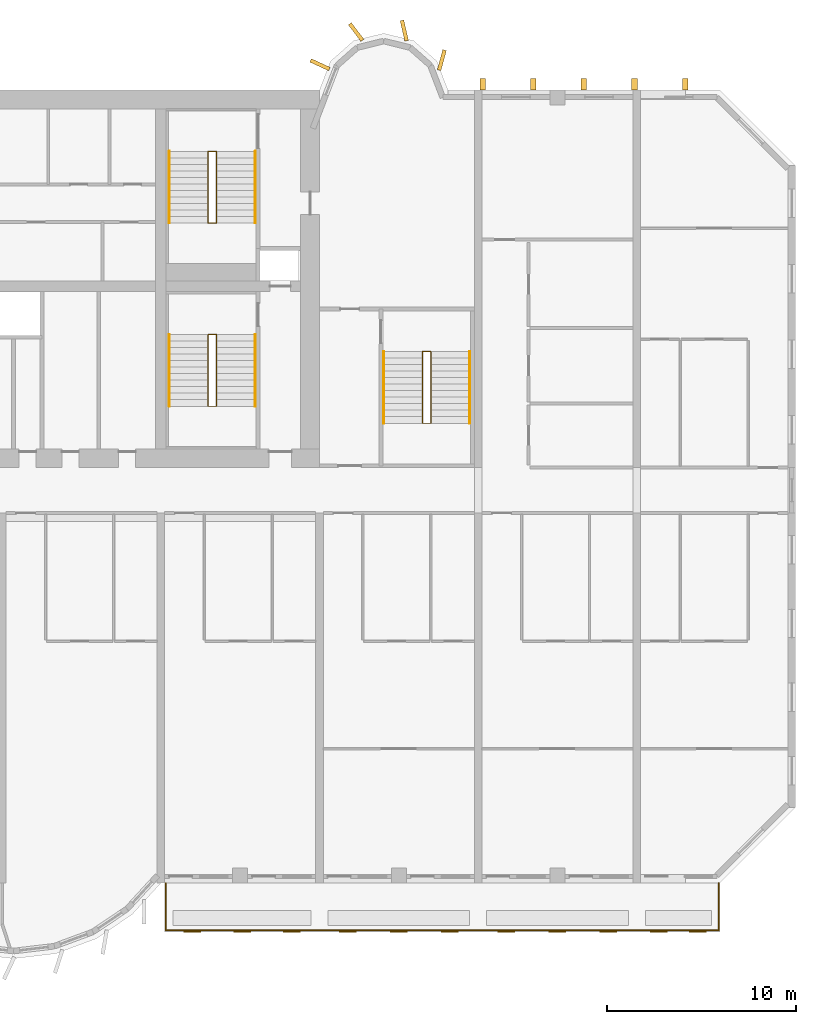
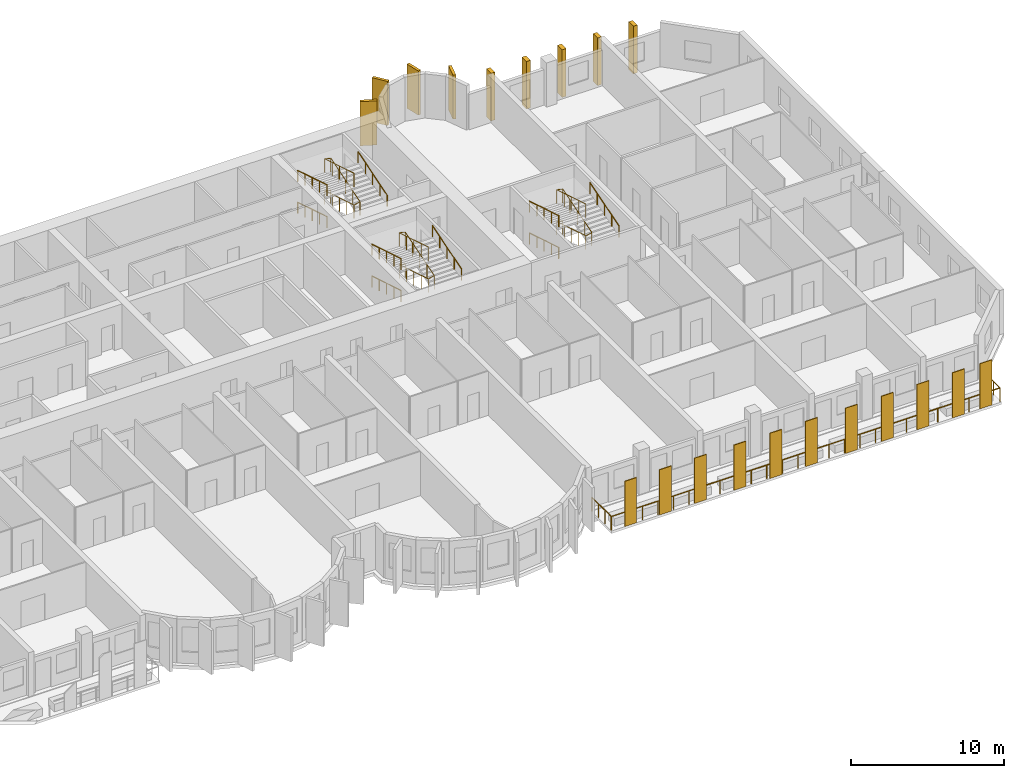
# One storey, part 14 of 15: 20 coverings, 13 railings.
"""IFC4 building model written with IfcOpenShell, lengths in metres."""

from ifc_helpers import new_model, si_unit, direction, frame, origin, origin_2d, place, context, subcontext, project, spatial, rectangle, circle, extrude, source, transform, mapped, material, layer, layer_set, material_profile, profile_set, type_object, element, save


model = new_model("IFC4")

# Units and contexts
model_context = context("Model", 3, precision=1e-05, world=origin(), true_north=direction((0.0, 1.0)))
body_context = subcontext(model_context, "Body", "Model", "MODEL_VIEW")
ifc_project = project(units=[si_unit("LENGTHUNIT", "METRE"), si_unit("AREAUNIT", "SQUARE_METRE"), si_unit("VOLUMEUNIT", "CUBIC_METRE"), si_unit("PLANEANGLEUNIT", "RADIAN"), si_unit("MASSUNIT", "GRAM", prefix="KILO")], contexts=[model_context])

# Site, building, storey
site_placement = place(None, origin())
site = spatial("IfcSite", under=ifc_project, at=site_placement, CompositionType="ELEMENT")
building_placement = place(site_placement, origin())
building = spatial("IfcBuilding", under=site, at=building_placement, Name="Vanashikhar Sky Hotel", CompositionType="ELEMENT")
storey_placement = place(building_placement, frame((0.0, 0.0, 62.0)))
storey = spatial("IfcBuildingStorey", under=building, at=storey_placement, Name="L14", CompositionType="ELEMENT", Elevation=62.0)

# Railing
ifc_material_1 = material(Name="Stainless steel 316", Category="steel")
railing_type_1 = type_object("IfcRailingType", Name="Balcony guard 1100", PredefinedType="GUARDRAIL", material=ifc_material_1)
shared_shape_1 = source(origin(), body_context, "Body", "SweptSolid", [
    extrude(circle(Radius=0.02392578125, at=origin_2d()), frame((0.0, 0.0, 1.076171875), z_axis=(0.0, -1.0, 0.0), x_axis=(1.0, 0.0, 0.0)), (0.0, 0.0, 1.0), 2.5),
    extrude(circle(Radius=0.02392578125, at=origin_2d()), frame((0.0, -2.5, 1.076171875), z_axis=(1.0, 0.0, 0.0), x_axis=(0.0, 1.0, 0.0)), (0.0, 0.0, 1.0), 29.280029296875),
    extrude(circle(Radius=0.02392578125, at=origin_2d()), frame((29.280029296875, -2.5, 1.076171875), z_axis=(0.0, 1.0, 0.0), x_axis=(-1.0, 0.0, 0.0)), (0.0, 0.0, 1.0), 2.5),
    extrude(circle(Radius=0.02099609375, at=origin_2d()), origin(), (0.0, 0.0, 1.0), 1.052001953125),
    extrude(circle(Radius=0.02099609375, at=origin_2d()), frame((0.0, -0.833251953125, 0.0)), (0.0, 0.0, 1.0), 1.052001953125),
    extrude(circle(Radius=0.02099609375, at=origin_2d()), frame((0.0, -1.666748046875, 0.0)), (0.0, 0.0, 1.0), 1.052001953125),
    extrude(circle(Radius=0.02099609375, at=origin_2d()), frame((0.0, -2.5, 0.0)), (0.0, 0.0, 1.0), 1.052001953125),
    extrude(circle(Radius=0.02099609375, at=origin_2d()), frame((1.171142578125, -2.5, 0.0)), (0.0, 0.0, 1.0), 1.052001953125),
    extrude(circle(Radius=0.02099609375, at=origin_2d()), frame((2.34228515625, -2.5, 0.0)), (0.0, 0.0, 1.0), 1.052001953125),
    extrude(circle(Radius=0.02099609375, at=origin_2d()), frame((3.513671875, -2.5, 0.0)), (0.0, 0.0, 1.0), 1.052001953125),
    extrude(circle(Radius=0.02099609375, at=origin_2d()), frame((4.684814453125, -2.5, 0.0)), (0.0, 0.0, 1.0), 1.052001953125),
    extrude(circle(Radius=0.02099609375, at=origin_2d()), frame((5.85595703125, -2.5, 0.0)), (0.0, 0.0, 1.0), 1.052001953125),
    extrude(circle(Radius=0.02099609375, at=origin_2d()), frame((7.027099609375, -2.5, 0.0)), (0.0, 0.0, 1.0), 1.052001953125),
    extrude(circle(Radius=0.02099609375, at=origin_2d()), frame((8.198486328125, -2.5, 0.0)), (0.0, 0.0, 1.0), 1.052001953125),
    extrude(circle(Radius=0.02099609375, at=origin_2d()), frame((9.36962890625, -2.5, 0.0)), (0.0, 0.0, 1.0), 1.052001953125),
    extrude(circle(Radius=0.02099609375, at=origin_2d()), frame((10.540771484375, -2.5, 0.0)), (0.0, 0.0, 1.0), 1.052001953125),
    extrude(circle(Radius=0.02099609375, at=origin_2d()), frame((11.7119140625, -2.5, 0.0)), (0.0, 0.0, 1.0), 1.052001953125),
    extrude(circle(Radius=0.02099609375, at=origin_2d()), frame((12.88330078125, -2.5, 0.0)), (0.0, 0.0, 1.0), 1.052001953125),
    extrude(circle(Radius=0.02099609375, at=origin_2d()), frame((14.054443359375, -2.5, 0.0)), (0.0, 0.0, 1.0), 1.052001953125),
    extrude(circle(Radius=0.02099609375, at=origin_2d()), frame((15.2255859375, -2.5, 0.0)), (0.0, 0.0, 1.0), 1.052001953125),
    extrude(circle(Radius=0.02099609375, at=origin_2d()), frame((16.396728515625, -2.5, 0.0)), (0.0, 0.0, 1.0), 1.052001953125),
    extrude(circle(Radius=0.02099609375, at=origin_2d()), frame((17.568115234375, -2.5, 0.0)), (0.0, 0.0, 1.0), 1.052001953125),
    extrude(circle(Radius=0.02099609375, at=origin_2d()), frame((18.7392578125, -2.5, 0.0)), (0.0, 0.0, 1.0), 1.052001953125),
    extrude(circle(Radius=0.02099609375, at=origin_2d()), frame((19.910400390625, -2.5, 0.0)), (0.0, 0.0, 1.0), 1.052001953125),
    extrude(circle(Radius=0.02099609375, at=origin_2d()), frame((21.08154296875, -2.5, 0.0)), (0.0, 0.0, 1.0), 1.052001953125),
    extrude(circle(Radius=0.02099609375, at=origin_2d()), frame((22.2529296875, -2.5, 0.0)), (0.0, 0.0, 1.0), 1.052001953125),
    extrude(circle(Radius=0.02099609375, at=origin_2d()), frame((23.424072265625, -2.5, 0.0)), (0.0, 0.0, 1.0), 1.052001953125),
    extrude(circle(Radius=0.02099609375, at=origin_2d()), frame((24.59521484375, -2.5, 0.0)), (0.0, 0.0, 1.0), 1.052001953125),
    extrude(circle(Radius=0.02099609375, at=origin_2d()), frame((25.766357421875, -2.5, 0.0)), (0.0, 0.0, 1.0), 1.052001953125),
    extrude(circle(Radius=0.02099609375, at=origin_2d()), frame((26.937744140625, -2.5, 0.0)), (0.0, 0.0, 1.0), 1.052001953125),
    extrude(circle(Radius=0.02099609375, at=origin_2d()), frame((28.10888671875, -2.5, 0.0)), (0.0, 0.0, 1.0), 1.052001953125),
    extrude(circle(Radius=0.02099609375, at=origin_2d()), frame((29.280029296875, -2.5, 0.0)), (0.0, 0.0, 1.0), 1.052001953125),
    extrude(circle(Radius=0.02099609375, at=origin_2d()), frame((29.280029296875, -1.666748046875, 0.0)), (0.0, 0.0, 1.0), 1.052001953125),
    extrude(circle(Radius=0.02099609375, at=origin_2d()), frame((29.280029296875, -0.833251953125, 0.0)), (0.0, 0.0, 1.0), 1.052001953125),
    extrude(circle(Radius=0.02099609375, at=origin_2d()), frame((29.280029296875, 0.0, 0.0)), (0.0, 0.0, 1.0), 1.052001953125),
])
railing_1_placement = place(storey_placement, frame((67.4599609375, 0.0, -0.050048828125)))
element("IfcRailing", 1, at=railing_1_placement, inside=storey, type_object=railing_type_1, Name="Balcony guard", PredefinedType="GUARDRAIL", context=body_context, shape_type="MappedRepresentation", body=[
    mapped(shared_shape_1, transform((0.0, 0.0, 0.0), scale=1.0)),
])

# Coverings
ifc_material_2 = material(Name="Terracotta", Category="masonry")
ifc_layer = layer(ifc_material_2, 0.06005859375)
ifc_layer_set = layer_set([ifc_layer], Name="Terracotta baguette screen")
covering_type_1 = type_object("IfcCoveringType", Name="Terracotta baguette screen", PredefinedType="CLADDING", material=ifc_layer_set)
shared_shape_2 = source(origin(), body_context, "Body", "SweptSolid", [
    extrude(rectangle(XDim=0.89990234375, YDim=0.06005859375, at=origin_2d()), origin(), (0.0, 0.0, 1.0), 3.60009765625),
])
for number, where, z_axis, x_axis, name in (
    (2, (68.86669921875, -2.570068359375, -0.050048828125), (0.0, 0.0, 1.0), (1.0, 0.0, 0.0), "Terracotta screen"),
    (3, (71.5, -2.570068359375, -0.050048828125), (0.0, 0.0, 1.0), (1.0, 0.0, 0.0), "Terracotta screen"),
    (4, (74.13330078125, -2.570068359375, -0.050048828125), (0.0, 0.0, 1.0), (1.0, 0.0, 0.0), "Terracotta screen"),
    (5, (77.10009765625, -2.570068359375, -0.050048828125), (0.0, 0.0, 1.0), (1.0, 0.0, 0.0), "Terracotta screen"),
    (6, (79.800048828125, -2.570068359375, -0.050048828125), (0.0, 0.0, 1.0), (1.0, 0.0, 0.0), "Terracotta screen"),
    (7, (82.5, -2.570068359375, -0.050048828125), (0.0, 0.0, 1.0), (1.0, 0.0, 0.0), "Terracotta screen"),
    (8, (85.5, -2.570068359375, -0.050048828125), (0.0, 0.0, 1.0), (1.0, 0.0, 0.0), "Terracotta screen"),
    (9, (88.199951171875, -2.570068359375, -0.050048828125), (0.0, 0.0, 1.0), (1.0, 0.0, 0.0), "Terracotta screen"),
    (10, (90.89990234375, -2.570068359375, -0.050048828125), (0.0, 0.0, 1.0), (1.0, 0.0, 0.0), "Terracotta screen"),
    (11, (93.574951171875, -2.570068359375, -0.050048828125), (0.0, 0.0, 1.0), (1.0, 0.0, 0.0), "Terracotta screen"),
    (12, (95.625, -2.570068359375, -0.050048828125), (0.0, 0.0, 1.0), (1.0, 0.0, 0.0), "Terracotta screen"),
):
    element("IfcCovering", number, at=place(storey_placement, frame(where, z_axis=z_axis, x_axis=x_axis)), inside=storey, type_object=covering_type_1, Name=name, PredefinedType="CLADDING", context=body_context, shape_type="MappedRepresentation", body=[
        mapped(shared_shape_2, transform((0.0, 0.0, 0.0), scale=1.0)),
    ])
ifc_material_3 = material(Name="Concrete M60 dark", Category="concrete")
ifc_material_profile_1 = material_profile(ifc_material_3, rectangle(XDim=1.10009765625, YDim=0.199951171875, at=origin_2d()))
ifc_profile_set_1 = profile_set([ifc_material_profile_1], Name="Rear lobe fin 1100 x 200")
covering_type_2 = type_object("IfcCoveringType", Name="Rear lobe fin 1100 x 200", PredefinedType="CLADDING", material=ifc_profile_set_1)
shared_shape_3 = source(origin(), body_context, "Body", "SweptSolid", [
    extrude(rectangle(XDim=1.10009765625, YDim=0.199951171875, at=origin_2d()), origin(), (0.0, 0.0, 1.0), 3.52001953125),
])
for number, where, z_axis, x_axis, name in (
    (13, (75.63037109375, 43.33447265625, 0.0), (0.0, 0.0, 1.0), (-0.908004291068, 0.418960866193, 0.0), "Fin R2-1"),
    (14, (77.5380859375, 45.06640625, 0.0), (0.0, 0.0, 1.0), (-0.602065892195, 0.798446404874, 0.0), "Fin R2-2"),
    (15, (80.08984375, 45.1455078125, 0.0), (0.0, 0.0, 1.0), (-0.224644935864, 0.974440687159, 0.0), "Fin R2-3"),
    (16, (82.0791015625, 43.580078125, 0.0), (0.0, 0.0, 1.0), (0.262711264409, 0.964874495234, 0.0), "Fin R2-4"),
):
    element("IfcCovering", number, at=place(storey_placement, frame(where, z_axis=z_axis, x_axis=x_axis)), inside=storey, type_object=covering_type_2, Name=name, PredefinedType="CLADDING", context=body_context, shape_type="MappedRepresentation", body=[
        mapped(shared_shape_3, transform((0.0, 0.0, 0.0), scale=1.0)),
    ])
ifc_material_profile_2 = material_profile(ifc_material_3, rectangle(XDim=0.60009765625, YDim=0.300048828125, at=origin_2d()))
ifc_profile_set_2 = profile_set([ifc_material_profile_2], Name="Rear rib 600 x 300")
covering_type_3 = type_object("IfcCoveringType", Name="Rear rib 600 x 300", PredefinedType="CLADDING", material=ifc_profile_set_2)
shared_shape_4 = source(origin(), body_context, "Body", "SweptSolid", [
    extrude(rectangle(XDim=0.60009765625, YDim=0.300048828125, at=origin_2d()), origin(), (0.0, 0.0, 1.0), 3.800048828125),
])
for number, where, z_axis, x_axis, name in (
    (17, (84.239990234375, 42.300048828125, -0.280029296875), (0.0, 0.0, 1.0), (0.0, 1.0, 0.0), "Rear rib"),
    (18, (86.919921875, 42.300048828125, -0.280029296875), (0.0, 0.0, 1.0), (0.0, 1.0, 0.0), "Rear rib"),
    (19, (89.60009765625, 42.300048828125, -0.280029296875), (0.0, 0.0, 1.0), (0.0, 1.0, 0.0), "Rear rib"),
    (20, (92.280029296875, 42.300048828125, -0.280029296875), (0.0, 0.0, 1.0), (0.0, 1.0, 0.0), "Rear rib"),
    (21, (94.9599609375, 42.300048828125, -0.280029296875), (0.0, 0.0, 1.0), (0.0, 1.0, 0.0), "Rear rib"),
):
    element("IfcCovering", number, at=place(storey_placement, frame(where, z_axis=z_axis, x_axis=x_axis)), inside=storey, type_object=covering_type_3, Name=name, PredefinedType="CLADDING", context=body_context, shape_type="MappedRepresentation", body=[
        mapped(shared_shape_4, transform((0.0, 0.0, 0.0), scale=1.0)),
    ])

# Railings
ifc_material_4 = material(Name="Steel S355", Category="steel")
railing_type_2 = type_object("IfcRailingType", Name="Stair handrail 900", PredefinedType="HANDRAIL", material=ifc_material_4)
shared_shape_5 = source(origin(), body_context, "Body", "SweptSolid", [
    extrude(circle(Radius=0.02392578125, at=origin_2d()), frame((0.0, 0.0, 0.8759765625), z_axis=(0.0, 0.95635109408, 0.292220096591), x_axis=(-1.0, 0.0, 0.0)), (0.0, 0.0, 1.0), 3.973388671875),
    extrude(circle(Radius=0.02099609375, at=origin_2d()), origin(), (0.0, 0.0, 1.0), 0.851806640625),
    extrude(circle(Radius=0.02099609375, at=origin_2d()), frame((0.0, 0.949951171875, 0.290283203125)), (0.0, 0.0, 1.0), 0.851806640625),
    extrude(circle(Radius=0.02099609375, at=origin_2d()), frame((0.0, 1.89990234375, 0.58056640625)), (0.0, 0.0, 1.0), 0.851806640625),
    extrude(circle(Radius=0.02099609375, at=origin_2d()), frame((0.0, 2.85009765625, 0.870849609375)), (0.0, 0.0, 1.0), 0.851806640625),
    extrude(circle(Radius=0.02099609375, at=origin_2d()), frame((0.0, 3.800048828125, 1.1611328125)), (0.0, 0.0, 1.0), 0.851806640625),
])
for number, where, name in (
    (22, (72.199951171875, 25.25, 1.372314453125), "Exit stair 2 handrail"),
    (23, (72.199951171875, 34.949951171875, 1.372314453125), "Exit stair 6 handrail"),
):
    element("IfcRailing", number, at=place(storey_placement, frame(where)), inside=storey, type_object=railing_type_2, Name=name, PredefinedType="HANDRAIL", context=body_context, shape_type="MappedRepresentation", body=[
        mapped(shared_shape_5, transform((0.0, 0.0, 0.0), scale=1.0)),
    ])
shared_shape_6 = source(origin(), body_context, "Body", "SweptSolid", [
    extrude(circle(Radius=0.02392578125, at=origin_2d()), frame((0.0, 0.0, 0.8759765625), z_axis=(0.0, -0.95635109408, 0.292220096591), x_axis=(1.0, 0.0, 0.0)), (0.0, 0.0, 1.0), 3.973388671875),
    extrude(circle(Radius=0.02099609375, at=origin_2d()), origin(), (0.0, 0.0, 1.0), 0.851806640625),
    extrude(circle(Radius=0.02099609375, at=origin_2d()), frame((0.0, -0.949951171875, 0.290283203125)), (0.0, 0.0, 1.0), 0.851806640625),
    extrude(circle(Radius=0.02099609375, at=origin_2d()), frame((0.0, -1.89990234375, 0.58056640625)), (0.0, 0.0, 1.0), 0.851806640625),
    extrude(circle(Radius=0.02099609375, at=origin_2d()), frame((0.0, -2.85009765625, 0.870849609375)), (0.0, 0.0, 1.0), 0.851806640625),
    extrude(circle(Radius=0.02099609375, at=origin_2d()), frame((0.0, -3.800048828125, 1.1611328125)), (0.0, 0.0, 1.0), 0.851806640625),
])
for number, where, name in (
    (24, (67.64990234375, 29.050048828125, 0.10546875), "Exit stair 2 handrail"),
    (25, (67.64990234375, 29.050048828125, 2.638916015625), "Exit stair 2 handrail"),
    (26, (67.64990234375, 38.75, 0.10546875), "Exit stair 6 handrail"),
    (27, (67.64990234375, 38.75, 2.638916015625), "Exit stair 6 handrail"),
):
    element("IfcRailing", number, at=place(storey_placement, frame(where)), inside=storey, type_object=railing_type_2, Name=name, PredefinedType="HANDRAIL", context=body_context, shape_type="MappedRepresentation", body=[
        mapped(shared_shape_6, transform((0.0, 0.0, 0.0), scale=1.0)),
    ])
railing_type_3 = type_object("IfcRailingType", Name="Stair guard 1100", PredefinedType="GUARDRAIL", material=ifc_material_4)
shared_shape_7 = source(origin(), body_context, "Body", "SweptSolid", [
    extrude(circle(Radius=0.02392578125, at=origin_2d()), frame((0.0, 0.0, 1.076171875), z_axis=(-0.973610808694, 0.0, 0.228214796178), x_axis=(0.0, -1.0, 0.0)), (0.0, 0.0, 1.0), 0.462158203125),
    extrude(circle(Radius=0.02392578125, at=origin_2d()), frame((-0.449951171875, 0.0, 1.181640625), z_axis=(0.0, -0.95635109408, 0.292220096591), x_axis=(1.0, 0.0, 0.0)), (0.0, 0.0, 1.0), 3.973388671875),
    extrude(circle(Radius=0.02392578125, at=origin_2d()), frame((-0.449951171875, -3.800048828125, 2.3427734375), z_axis=(0.973493315427, 0.0, 0.228715466945), x_axis=(0.0, 1.0, 0.0)), (0.0, 0.0, 1.0), 0.462158203125),
    extrude(circle(Radius=0.02392578125, at=origin_2d()), frame((0.0, -3.800048828125, 2.4482421875), z_axis=(0.0, 0.95635109408, 0.292220096591), x_axis=(-1.0, 0.0, 0.0)), (0.0, 0.0, 1.0), 3.973388671875),
    extrude(circle(Radius=0.02392578125, at=origin_2d()), frame((0.0, 0.0, 3.609375), z_axis=(-0.973610808694, 0.0, 0.228214796178), x_axis=(0.0, -1.0, 0.0)), (0.0, 0.0, 1.0), 0.462158203125),
    extrude(circle(Radius=0.02392578125, at=origin_2d()), frame((-0.449951171875, 0.0, 3.71484375), z_axis=(0.0, -0.95635109408, 0.292220096591), x_axis=(1.0, 0.0, 0.0)), (0.0, 0.0, 1.0), 3.973388671875),
    extrude(circle(Radius=0.02099609375, at=origin_2d()), origin(), (0.0, 0.0, 1.0), 1.052001953125),
    extrude(circle(Radius=0.02099609375, at=origin_2d()), frame((-0.449951171875, 0.0, 0.10546875)), (0.0, 0.0, 1.0), 1.052001953125),
    extrude(circle(Radius=0.02099609375, at=origin_2d()), frame((-0.449951171875, -0.949951171875, 0.395751953125)), (0.0, 0.0, 1.0), 1.052001953125),
    extrude(circle(Radius=0.02099609375, at=origin_2d()), frame((-0.449951171875, -1.89990234375, 0.68603515625)), (0.0, 0.0, 1.0), 1.052001953125),
    extrude(circle(Radius=0.02099609375, at=origin_2d()), frame((-0.449951171875, -2.85009765625, 0.976318359375)), (0.0, 0.0, 1.0), 1.052001953125),
    extrude(circle(Radius=0.02099609375, at=origin_2d()), frame((-0.449951171875, -3.800048828125, 1.2666015625)), (0.0, 0.0, 1.0), 1.052001953125),
    extrude(circle(Radius=0.02099609375, at=origin_2d()), frame((0.0, -3.800048828125, 1.372314453125)), (0.0, 0.0, 1.0), 1.052001953125),
    extrude(circle(Radius=0.02099609375, at=origin_2d()), frame((0.0, -2.85009765625, 1.66259765625)), (0.0, 0.0, 1.0), 1.052001953125),
    extrude(circle(Radius=0.02099609375, at=origin_2d()), frame((0.0, -1.89990234375, 1.952880859375)), (0.0, 0.0, 1.0), 1.052001953125),
    extrude(circle(Radius=0.02099609375, at=origin_2d()), frame((0.0, -0.949951171875, 2.2431640625)), (0.0, 0.0, 1.0), 1.052001953125),
    extrude(circle(Radius=0.02099609375, at=origin_2d()), frame((0.0, 0.0, 2.533447265625)), (0.0, 0.0, 1.0), 1.052001953125),
    extrude(circle(Radius=0.02099609375, at=origin_2d()), frame((-0.449951171875, 0.0, 2.638916015625)), (0.0, 0.0, 1.0), 1.052001953125),
    extrude(circle(Radius=0.02099609375, at=origin_2d()), frame((-0.449951171875, -0.949951171875, 2.92919921875)), (0.0, 0.0, 1.0), 1.052001953125),
    extrude(circle(Radius=0.02099609375, at=origin_2d()), frame((-0.449951171875, -1.89990234375, 3.219482421875)), (0.0, 0.0, 1.0), 1.052001953125),
    extrude(circle(Radius=0.02099609375, at=origin_2d()), frame((-0.449951171875, -2.85009765625, 3.509765625)), (0.0, 0.0, 1.0), 1.052001953125),
    extrude(circle(Radius=0.02099609375, at=origin_2d()), frame((-0.449951171875, -3.800048828125, 3.800048828125)), (0.0, 0.0, 1.0), 1.052001953125),
])
for number, where, name in (
    (28, (70.14990234375, 29.050048828125, 0.0), "Exit stair 2 guard"),
    (29, (70.14990234375, 38.75, 0.0), "Exit stair 6 guard"),
):
    element("IfcRailing", number, at=place(storey_placement, frame(where)), inside=storey, type_object=railing_type_3, Name=name, PredefinedType="GUARDRAIL", context=body_context, shape_type="MappedRepresentation", body=[
        mapped(shared_shape_7, transform((0.0, 0.0, 0.0), scale=1.0)),
    ])
shared_shape_8 = source(origin(), body_context, "Body", "SweptSolid", [
    extrude(circle(Radius=0.02392578125, at=origin_2d()), frame((0.0, 0.0, 0.8759765625), z_axis=(0.0, 0.956345846891, 0.292237268557), x_axis=(-1.0, 0.0, 0.0)), (0.0, 0.0, 1.0), 3.97314453125),
    extrude(circle(Radius=0.02099609375, at=origin_2d()), origin(), (0.0, 0.0, 1.0), 0.851806640625),
    extrude(circle(Radius=0.02099609375, at=origin_2d()), frame((0.0, 0.949951171875, 0.290283203125)), (0.0, 0.0, 1.0), 0.851806640625),
    extrude(circle(Radius=0.02099609375, at=origin_2d()), frame((0.0, 1.89990234375, 0.58056640625)), (0.0, 0.0, 1.0), 0.851806640625),
    extrude(circle(Radius=0.02099609375, at=origin_2d()), frame((0.0, 2.849853515625, 0.870849609375)), (0.0, 0.0, 1.0), 0.851806640625),
    extrude(circle(Radius=0.02099609375, at=origin_2d()), frame((0.0, 3.7998046875, 1.1611328125)), (0.0, 0.0, 1.0), 0.851806640625),
])
railing_2_placement = place(storey_placement, frame((83.550048828125, 24.35009765625, 1.372314453125)))
element("IfcRailing", 30, at=railing_2_placement, inside=storey, type_object=railing_type_2, Name="Exit stair 4 handrail", PredefinedType="HANDRAIL", context=body_context, shape_type="MappedRepresentation", body=[
    mapped(shared_shape_8, transform((0.0, 0.0, 0.0), scale=1.0)),
])
shared_shape_9 = source(origin(), body_context, "Body", "SweptSolid", [
    extrude(circle(Radius=0.02392578125, at=origin_2d()), frame((0.0, 0.0, 0.8759765625), z_axis=(0.0, -0.956345846891, 0.292237268557), x_axis=(1.0, 0.0, 0.0)), (0.0, 0.0, 1.0), 3.97314453125),
    extrude(circle(Radius=0.02099609375, at=origin_2d()), origin(), (0.0, 0.0, 1.0), 0.851806640625),
    extrude(circle(Radius=0.02099609375, at=origin_2d()), frame((0.0, -0.949951171875, 0.290283203125)), (0.0, 0.0, 1.0), 0.851806640625),
    extrude(circle(Radius=0.02099609375, at=origin_2d()), frame((0.0, -1.89990234375, 0.58056640625)), (0.0, 0.0, 1.0), 0.851806640625),
    extrude(circle(Radius=0.02099609375, at=origin_2d()), frame((0.0, -2.849853515625, 0.870849609375)), (0.0, 0.0, 1.0), 0.851806640625),
    extrude(circle(Radius=0.02099609375, at=origin_2d()), frame((0.0, -3.7998046875, 1.1611328125)), (0.0, 0.0, 1.0), 0.851806640625),
])
for number, where, name in (
    (31, (79.0, 28.14990234375, 0.10546875), "Exit stair 4 handrail"),
    (32, (79.0, 28.14990234375, 2.638916015625), "Exit stair 4 handrail"),
):
    element("IfcRailing", number, at=place(storey_placement, frame(where)), inside=storey, type_object=railing_type_2, Name=name, PredefinedType="HANDRAIL", context=body_context, shape_type="MappedRepresentation", body=[
        mapped(shared_shape_9, transform((0.0, 0.0, 0.0), scale=1.0)),
    ])
shared_shape_10 = source(origin(), body_context, "Body", "SweptSolid", [
    extrude(circle(Radius=0.02392578125, at=origin_2d()), frame((0.0, 0.0, 1.076171875), z_axis=(-0.973610808694, 0.0, 0.228214796178), x_axis=(0.0, -1.0, 0.0)), (0.0, 0.0, 1.0), 0.462158203125),
    extrude(circle(Radius=0.02392578125, at=origin_2d()), frame((-0.449951171875, 0.0, 1.181640625), z_axis=(0.0, -0.956345846891, 0.292237268557), x_axis=(1.0, 0.0, 0.0)), (0.0, 0.0, 1.0), 3.97314453125),
    extrude(circle(Radius=0.02392578125, at=origin_2d()), frame((-0.449951171875, -3.7998046875, 2.3427734375), z_axis=(0.973493315427, 0.0, 0.228715466945), x_axis=(0.0, 1.0, 0.0)), (0.0, 0.0, 1.0), 0.462158203125),
    extrude(circle(Radius=0.02392578125, at=origin_2d()), frame((0.0, -3.7998046875, 2.4482421875), z_axis=(0.0, 0.956345846891, 0.292237268557), x_axis=(-1.0, 0.0, 0.0)), (0.0, 0.0, 1.0), 3.97314453125),
    extrude(circle(Radius=0.02392578125, at=origin_2d()), frame((0.0, 0.0, 3.609375), z_axis=(-0.973610808694, 0.0, 0.228214796178), x_axis=(0.0, -1.0, 0.0)), (0.0, 0.0, 1.0), 0.462158203125),
    extrude(circle(Radius=0.02392578125, at=origin_2d()), frame((-0.449951171875, 0.0, 3.71484375), z_axis=(0.0, -0.956345846891, 0.292237268557), x_axis=(1.0, 0.0, 0.0)), (0.0, 0.0, 1.0), 3.97314453125),
    extrude(circle(Radius=0.02099609375, at=origin_2d()), origin(), (0.0, 0.0, 1.0), 1.052001953125),
    extrude(circle(Radius=0.02099609375, at=origin_2d()), frame((-0.449951171875, 0.0, 0.10546875)), (0.0, 0.0, 1.0), 1.052001953125),
    extrude(circle(Radius=0.02099609375, at=origin_2d()), frame((-0.449951171875, -0.949951171875, 0.395751953125)), (0.0, 0.0, 1.0), 1.052001953125),
    extrude(circle(Radius=0.02099609375, at=origin_2d()), frame((-0.449951171875, -1.89990234375, 0.68603515625)), (0.0, 0.0, 1.0), 1.052001953125),
    extrude(circle(Radius=0.02099609375, at=origin_2d()), frame((-0.449951171875, -2.849853515625, 0.976318359375)), (0.0, 0.0, 1.0), 1.052001953125),
    extrude(circle(Radius=0.02099609375, at=origin_2d()), frame((-0.449951171875, -3.7998046875, 1.2666015625)), (0.0, 0.0, 1.0), 1.052001953125),
    extrude(circle(Radius=0.02099609375, at=origin_2d()), frame((0.0, -3.7998046875, 1.372314453125)), (0.0, 0.0, 1.0), 1.052001953125),
    extrude(circle(Radius=0.02099609375, at=origin_2d()), frame((0.0, -2.849853515625, 1.66259765625)), (0.0, 0.0, 1.0), 1.052001953125),
    extrude(circle(Radius=0.02099609375, at=origin_2d()), frame((0.0, -1.89990234375, 1.952880859375)), (0.0, 0.0, 1.0), 1.052001953125),
    extrude(circle(Radius=0.02099609375, at=origin_2d()), frame((0.0, -0.949951171875, 2.2431640625)), (0.0, 0.0, 1.0), 1.052001953125),
    extrude(circle(Radius=0.02099609375, at=origin_2d()), frame((0.0, 0.0, 2.533447265625)), (0.0, 0.0, 1.0), 1.052001953125),
    extrude(circle(Radius=0.02099609375, at=origin_2d()), frame((-0.449951171875, 0.0, 2.638916015625)), (0.0, 0.0, 1.0), 1.052001953125),
    extrude(circle(Radius=0.02099609375, at=origin_2d()), frame((-0.449951171875, -0.949951171875, 2.92919921875)), (0.0, 0.0, 1.0), 1.052001953125),
    extrude(circle(Radius=0.02099609375, at=origin_2d()), frame((-0.449951171875, -1.89990234375, 3.219482421875)), (0.0, 0.0, 1.0), 1.052001953125),
    extrude(circle(Radius=0.02099609375, at=origin_2d()), frame((-0.449951171875, -2.849853515625, 3.509765625)), (0.0, 0.0, 1.0), 1.052001953125),
    extrude(circle(Radius=0.02099609375, at=origin_2d()), frame((-0.449951171875, -3.7998046875, 3.800048828125)), (0.0, 0.0, 1.0), 1.052001953125),
])
railing_3_placement = place(storey_placement, frame((81.5, 28.14990234375, 0.0)))
element("IfcRailing", 33, at=railing_3_placement, inside=storey, type_object=railing_type_3, Name="Exit stair 4 guard", PredefinedType="GUARDRAIL", context=body_context, shape_type="MappedRepresentation", body=[
    mapped(shared_shape_10, transform((0.0, 0.0, 0.0), scale=1.0)),
])

save(model, "model.ifc")
